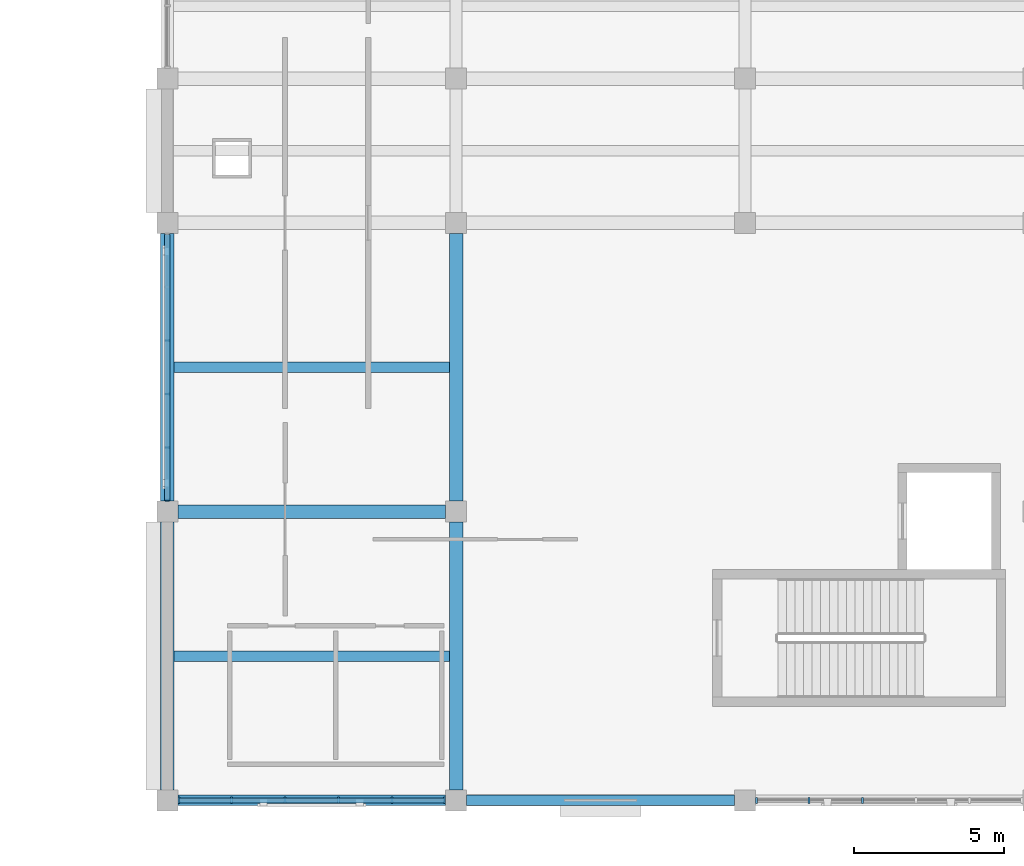
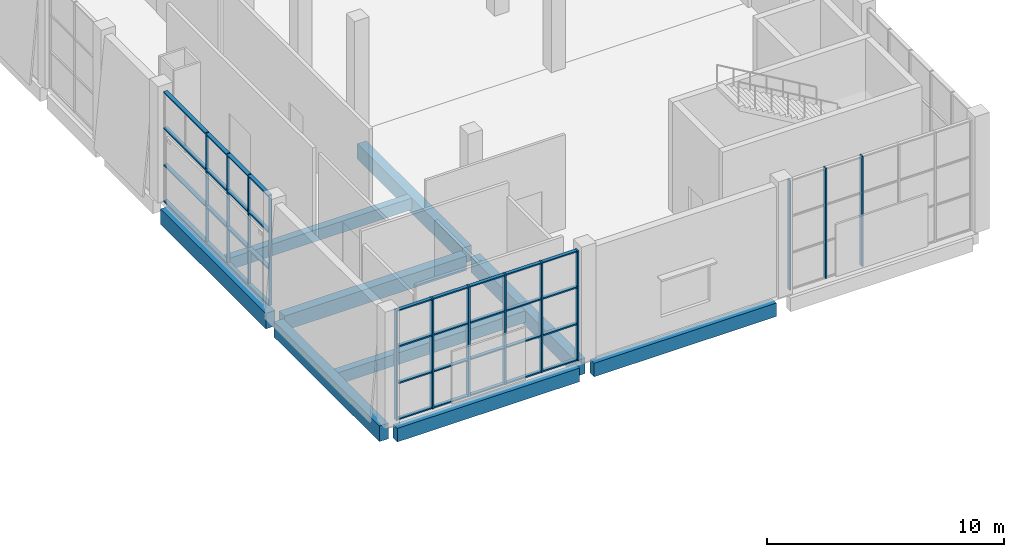
# One storey, part 11 of 84: 21 members, 9 beams, 3 elements without a shape of their own.
"""IFC4 building model written with IfcOpenShell, lengths in metres."""

from ifc_helpers import new_model, si_unit, direction, frame, origin, origin_2d, place, context, subcontext, project, spatial, rectangle, extrude, material, material_profile, profile_set, type_object, element, aggregate, save


model = new_model("IFC4")

# Units and contexts
model_context = context("Model", 3, precision=1e-05, world=origin(), true_north=direction((0.0, 1.0)))
body_context = subcontext(model_context, "Body", "Model", "MODEL_VIEW")
ifc_project = project(units=[si_unit("LENGTHUNIT", "METRE"), si_unit("AREAUNIT", "SQUARE_METRE"), si_unit("VOLUMEUNIT", "CUBIC_METRE"), si_unit("PLANEANGLEUNIT", "RADIAN"), si_unit("MASSUNIT", "GRAM", prefix="KILO")], contexts=[model_context])

# Site, building, storey
site_placement = place(None, origin())
site = spatial("IfcSite", under=ifc_project, at=site_placement, CompositionType="ELEMENT")
building_placement = place(site_placement, origin())
building = spatial("IfcBuilding", under=site, at=building_placement, Name="Shalvenor Court Art Gallery", CompositionType="ELEMENT")
storey_placement = place(building_placement, origin())
storey = spatial("IfcBuildingStorey", under=building, at=storey_placement, Name="L00", CompositionType="ELEMENT", Elevation=0.0)

# Beams
ifc_material_1 = material(Name="Concrete C40/50", Category="concrete")
ifc_material_profile_1 = material_profile(ifc_material_1, rectangle(XDim=0.449951171875, YDim=0.800048828125, at=origin_2d()), Name="RC 450x800")
ifc_profile_set_1 = profile_set([ifc_material_profile_1], Name="Concrete C40/50")
beam_type_1 = type_object("IfcBeamType", Name="B-03", PredefinedType="BEAM", material=ifc_profile_set_1)
beam_1_placement = place(storey_placement, frame((96.0, 0.35009765625, -0.739990234375), z_axis=(0.0, 1.0, 0.0), x_axis=(-1.0, 0.0, 0.0)))
element("IfcBeam", 1, at=beam_1_placement, inside=storey, type_object=beam_type_1, Name="L00 Girder BM-L00-B-03-0066", PredefinedType="BEAM", context=body_context, shape_type="SweptSolid", body=[
    extrude(rectangle(XDim=0.449951171875, YDim=0.800048828125, at=origin_2d()), origin(), (0.0, 0.0, 1.0), 8.89990234375),
])
beam_2_placement = place(storey_placement, frame((96.0, 9.949951171875, -0.739990234375), z_axis=(0.0, 1.0, 0.0), x_axis=(-1.0, 0.0, 0.0)))
element("IfcBeam", 2, at=beam_2_placement, inside=storey, type_object=beam_type_1, Name="L00 Girder BM-L00-B-03-0067", PredefinedType="BEAM", context=body_context, shape_type="SweptSolid", body=[
    extrude(rectangle(XDim=0.449951171875, YDim=0.800048828125, at=origin_2d()), origin(), (0.0, 0.0, 1.0), 8.900146484375),
])
beam_3_placement = place(storey_placement, frame((105.60009765625, 0.35009765625, -0.739990234375), z_axis=(0.0, 1.0, 0.0), x_axis=(-1.0, 0.0, 0.0)))
element("IfcBeam", 3, at=beam_3_placement, inside=storey, type_object=beam_type_1, Name="L00 Girder BM-L00-B-03-0076", PredefinedType="BEAM", context=body_context, shape_type="SweptSolid", body=[
    extrude(rectangle(XDim=0.449951171875, YDim=0.800048828125, at=origin_2d()), origin(), (0.0, 0.0, 1.0), 8.89990234375),
])
beam_4_placement = place(storey_placement, frame((105.60009765625, 9.949951171875, -0.739990234375), z_axis=(0.0, 1.0, 0.0), x_axis=(-1.0, 0.0, 0.0)))
element("IfcBeam", 4, at=beam_4_placement, inside=storey, type_object=beam_type_1, Name="L00 Girder BM-L00-B-03-0077", PredefinedType="BEAM", context=body_context, shape_type="SweptSolid", body=[
    extrude(rectangle(XDim=0.449951171875, YDim=0.800048828125, at=origin_2d()), origin(), (0.0, 0.0, 1.0), 8.900146484375),
])
ifc_material_2 = material(Name="Concrete C40/50", Category="concrete")
ifc_material_profile_2 = material_profile(ifc_material_2, rectangle(XDim=0.449951171875, YDim=0.75, at=origin_2d()), Name="RC 450x750")
ifc_profile_set_2 = profile_set([ifc_material_profile_2], Name="Concrete C40/50")
beam_type_2 = type_object("IfcBeamType", Name="B-04", PredefinedType="BEAM", material=ifc_profile_set_2)
beam_5_placement = place(storey_placement, frame((96.35009765625, 9.60009765625, -0.715087890625), z_axis=(1.0, 0.0, 0.0), x_axis=(0.0, 1.0, 0.0)))
element("IfcBeam", 5, at=beam_5_placement, inside=storey, type_object=beam_type_2, Name="L00 Girder BM-L00-B-04-0156", PredefinedType="BEAM", context=body_context, shape_type="SweptSolid", body=[
    extrude(rectangle(XDim=0.449951171875, YDim=0.75, at=origin_2d()), origin(), (0.0, 0.0, 1.0), 8.89990234375),
])

# Curtain wall, members
ifc_material_3 = material(Name="Anodised aluminium and low-iron glass curtain wall", Category="aluminium")
curtain_wall_type_1 = type_object("IfcCurtainWallType", Name="CW-5x3-89-57-212", PredefinedType="USERDEFINED", material=ifc_material_3)
curtain_wall_1_placement = place(storey_placement, origin())
curtain_wall_1 = element("IfcCurtainWall", 6, at=curtain_wall_1_placement, inside=storey, type_object=curtain_wall_type_1, Name="L00 V3 Curtain Wall CW-L00-093", ObjectType="CURTAIN WALL", PredefinedType="USERDEFINED")
ifc_material_4 = material(Name="Anodised aluminium mullion", Category="aluminium")
ifc_material_profile_3 = material_profile(ifc_material_4, rectangle(XDim=0.070068359375, YDim=0.199951171875, at=origin_2d()), Name="CWM-02")
ifc_profile_set_3 = profile_set([ifc_material_profile_3], Name="Anodised aluminium mullion")
member_type_1 = type_object("IfcMemberType", Name="CWM-02", PredefinedType="MULLION", material=ifc_profile_set_3)
member_1_placement = place(storey_placement, frame((119.110107421875, 0.0, 0.0), z_axis=(0.0, 0.0, 1.0), x_axis=(-1.0, 0.0, 0.0)))
member_1 = element("IfcMember", 7, at=member_1_placement, type_object=member_type_1, Name="CW-5x3-89-57-212 mullion 4", PredefinedType="MULLION", context=body_context, shape_type="SweptSolid", body=[
    extrude(rectangle(XDim=0.070068359375, YDim=0.199951171875, at=origin_2d()), origin(), (0.0, 0.0, 1.0), 5.679931640625),
])
member_2_placement = place(storey_placement, frame((117.330078125, 0.0, 0.0), z_axis=(0.0, 0.0, 1.0), x_axis=(-1.0, 0.0, 0.0)))
member_2 = element("IfcMember", 8, at=member_2_placement, type_object=member_type_1, Name="CW-5x3-89-57-212 mullion 5", PredefinedType="MULLION", context=body_context, shape_type="SweptSolid", body=[
    extrude(rectangle(XDim=0.070068359375, YDim=0.199951171875, at=origin_2d()), origin(), (0.0, 0.0, 1.0), 5.679931640625),
])
member_3_placement = place(storey_placement, frame((115.5849609375, 0.0, 0.0), z_axis=(0.0, 0.0, 1.0), x_axis=(-1.0, 0.0, 0.0)))
member_3 = element("IfcMember", 9, at=member_3_placement, type_object=member_type_1, Name="CW-5x3-89-57-212 mullion 6", PredefinedType="MULLION", context=body_context, shape_type="SweptSolid", body=[
    extrude(rectangle(XDim=0.070068359375, YDim=0.199951171875, at=origin_2d()), origin(), (0.0, 0.0, 1.0), 5.679931640625),
])
aggregate(curtain_wall_1, [member_1, member_2, member_3])

ifc_material_5 = material(Name="Anodised aluminium and low-iron glass curtain wall", Category="aluminium")
curtain_wall_type_2 = type_object("IfcCurtainWallType", Name="CW-5x3-89-57-422", PredefinedType="USERDEFINED", material=ifc_material_5)
curtain_wall_2_placement = place(storey_placement, origin())
curtain_wall_2 = element("IfcCurtainWall", 10, at=curtain_wall_2_placement, inside=storey, type_object=curtain_wall_type_2, Name="L00 V3 Curtain Wall CW-L00-094", ObjectType="CURTAIN WALL", PredefinedType="USERDEFINED")
ifc_material_6 = material(Name="Anodised aluminium mullion", Category="aluminium")
ifc_material_profile_4 = material_profile(ifc_material_6, rectangle(XDim=0.074951171875, YDim=0.219970703125, at=origin_2d()), Name="CWM-04")
ifc_profile_set_4 = profile_set([ifc_material_profile_4], Name="Anodised aluminium mullion")
member_type_2 = type_object("IfcMemberType", Name="CWM-04", PredefinedType="MULLION", material=ifc_profile_set_4)
member_4_placement = place(storey_placement, frame((105.21240234375, 0.0, 0.0), z_axis=(0.0, 0.0, 1.0), x_axis=(-1.0, 0.0, 0.0)))
member_4 = element("IfcMember", 11, at=member_4_placement, type_object=member_type_2, Name="CW-5x3-89-57-422 mullion 1", PredefinedType="MULLION", context=body_context, shape_type="SweptSolid", body=[
    extrude(rectangle(XDim=0.074951171875, YDim=0.219970703125, at=origin_2d()), origin(), (0.0, 0.0, 1.0), 5.679931640625),
])
member_5_placement = place(storey_placement, frame((103.469970703125, 0.0, 0.0), z_axis=(0.0, 0.0, 1.0), x_axis=(-1.0, 0.0, 0.0)))
member_5 = element("IfcMember", 12, at=member_5_placement, type_object=member_type_2, Name="CW-5x3-89-57-422 mullion 2", PredefinedType="MULLION", context=body_context, shape_type="SweptSolid", body=[
    extrude(rectangle(XDim=0.074951171875, YDim=0.219970703125, at=origin_2d()), origin(), (0.0, 0.0, 1.0), 5.679931640625),
])
member_6_placement = place(storey_placement, frame((101.68994140625, 0.0, 0.0), z_axis=(0.0, 0.0, 1.0), x_axis=(-1.0, 0.0, 0.0)))
member_6 = element("IfcMember", 13, at=member_6_placement, type_object=member_type_2, Name="CW-5x3-89-57-422 mullion 3", PredefinedType="MULLION", context=body_context, shape_type="SweptSolid", body=[
    extrude(rectangle(XDim=0.074951171875, YDim=0.219970703125, at=origin_2d()), origin(), (0.0, 0.0, 1.0), 5.679931640625),
])
member_7_placement = place(storey_placement, frame((99.909912109375, 0.0, 0.0), z_axis=(0.0, 0.0, 1.0), x_axis=(-1.0, 0.0, 0.0)))
member_7 = element("IfcMember", 14, at=member_7_placement, type_object=member_type_2, Name="CW-5x3-89-57-422 mullion 4", PredefinedType="MULLION", context=body_context, shape_type="SweptSolid", body=[
    extrude(rectangle(XDim=0.074951171875, YDim=0.219970703125, at=origin_2d()), origin(), (0.0, 0.0, 1.0), 5.679931640625),
])
member_8_placement = place(storey_placement, frame((98.1298828125, 0.0, 0.0), z_axis=(0.0, 0.0, 1.0), x_axis=(-1.0, 0.0, 0.0)))
member_8 = element("IfcMember", 15, at=member_8_placement, type_object=member_type_2, Name="CW-5x3-89-57-422 mullion 5", PredefinedType="MULLION", context=body_context, shape_type="SweptSolid", body=[
    extrude(rectangle(XDim=0.074951171875, YDim=0.219970703125, at=origin_2d()), origin(), (0.0, 0.0, 1.0), 5.679931640625),
])
member_9_placement = place(storey_placement, frame((96.387451171875, 0.0, 0.0), z_axis=(0.0, 0.0, 1.0), x_axis=(-1.0, 0.0, 0.0)))
member_9 = element("IfcMember", 16, at=member_9_placement, type_object=member_type_2, Name="CW-5x3-89-57-422 mullion 6", PredefinedType="MULLION", context=body_context, shape_type="SweptSolid", body=[
    extrude(rectangle(XDim=0.074951171875, YDim=0.219970703125, at=origin_2d()), origin(), (0.0, 0.0, 1.0), 5.679931640625),
])

ifc_material_7 = material(Name="Anodised aluminium and low-iron glass curtain wall", Category="aluminium")
curtain_wall_type_3 = type_object("IfcCurtainWallType", Name="CW-5x3-89-57-642", PredefinedType="USERDEFINED", material=ifc_material_7)
curtain_wall_3_placement = place(storey_placement, origin())
curtain_wall_3 = element("IfcCurtainWall", 17, at=curtain_wall_3_placement, inside=storey, type_object=curtain_wall_type_3, Name="L00 V3 Curtain Wall CW-L00-095", ObjectType="CURTAIN WALL", PredefinedType="USERDEFINED")
ifc_material_8 = material(Name="Anodised aluminium mullion", Category="aluminium")
ifc_material_profile_5 = material_profile(ifc_material_8, rectangle(XDim=0.054931640625, YDim=0.139892578125, at=origin_2d()), Name="CWM-06")
ifc_profile_set_5 = profile_set([ifc_material_profile_5], Name="Anodised aluminium mullion")
member_type_3 = type_object("IfcMemberType", Name="CWM-06", PredefinedType="MULLION", material=ifc_profile_set_5)
member_10_placement = place(storey_placement, frame((96.0, 9.9775390625, 0.0), z_axis=(0.0, 0.0, 1.0), x_axis=(0.0, 1.0, 0.0)))
member_10 = element("IfcMember", 18, at=member_10_placement, type_object=member_type_3, Name="CW-5x3-89-57-642 mullion 1", PredefinedType="MULLION", context=body_context, shape_type="SweptSolid", body=[
    extrude(rectangle(XDim=0.054931640625, YDim=0.139892578125, at=origin_2d()), origin(), (0.0, 0.0, 1.0), 5.679931640625),
])
member_11_placement = place(storey_placement, frame((96.0, 11.72998046875, 0.0), z_axis=(0.0, 0.0, 1.0), x_axis=(0.0, 1.0, 0.0)))
member_11 = element("IfcMember", 19, at=member_11_placement, type_object=member_type_3, Name="CW-5x3-89-57-642 mullion 2", PredefinedType="MULLION", context=body_context, shape_type="SweptSolid", body=[
    extrude(rectangle(XDim=0.054931640625, YDim=0.139892578125, at=origin_2d()), origin(), (0.0, 0.0, 1.0), 5.679931640625),
])
member_12_placement = place(storey_placement, frame((96.0, 13.510009765625, 0.0), z_axis=(0.0, 0.0, 1.0), x_axis=(0.0, 1.0, 0.0)))
member_12 = element("IfcMember", 20, at=member_12_placement, type_object=member_type_3, Name="CW-5x3-89-57-642 mullion 3", PredefinedType="MULLION", context=body_context, shape_type="SweptSolid", body=[
    extrude(rectangle(XDim=0.054931640625, YDim=0.139892578125, at=origin_2d()), origin(), (0.0, 0.0, 1.0), 5.679931640625),
])
member_13_placement = place(storey_placement, frame((96.0, 15.2900390625, 0.0), z_axis=(0.0, 0.0, 1.0), x_axis=(0.0, 1.0, 0.0)))
member_13 = element("IfcMember", 21, at=member_13_placement, type_object=member_type_3, Name="CW-5x3-89-57-642 mullion 4", PredefinedType="MULLION", context=body_context, shape_type="SweptSolid", body=[
    extrude(rectangle(XDim=0.054931640625, YDim=0.139892578125, at=origin_2d()), origin(), (0.0, 0.0, 1.0), 5.679931640625),
])

# Member
ifc_material_9 = material(Name="Anodised aluminium transom", Category="aluminium")
ifc_material_profile_6 = material_profile(ifc_material_9, rectangle(XDim=0.169921875, YDim=0.06494140625, at=origin_2d()), Name="CWT-02")
ifc_profile_set_6 = profile_set([ifc_material_profile_6], Name="Anodised aluminium transom")
member_type_4 = type_object("IfcMemberType", Name="CWT-02", PredefinedType="USERDEFINED", material=ifc_profile_set_6)
member_14_placement = place(storey_placement, frame((105.21240234375, 0.0, 0.032470703125), z_axis=(-1.0, 0.0, 0.0), x_axis=(0.0, -1.0, 0.0)))
member_14 = element("IfcMember", 22, at=member_14_placement, type_object=member_type_4, Name="CW-5x3-89-57-422 transom 1", ObjectType="TRANSOM", PredefinedType="USERDEFINED", context=body_context, shape_type="SweptSolid", body=[
    extrude(rectangle(XDim=0.169921875, YDim=0.06494140625, at=origin_2d()), origin(), (0.0, 0.0, 1.0), 8.824951171875),
])

member_15_placement = place(storey_placement, frame((105.21240234375, 0.0, 1.893310546875), z_axis=(-1.0, 0.0, 0.0), x_axis=(0.0, -1.0, 0.0)))
member_15 = element("IfcMember", 23, at=member_15_placement, type_object=member_type_4, Name="CW-5x3-89-57-422 transom 2", ObjectType="TRANSOM", PredefinedType="USERDEFINED", context=body_context, shape_type="SweptSolid", body=[
    extrude(rectangle(XDim=0.169921875, YDim=0.06494140625, at=origin_2d()), origin(), (0.0, 0.0, 1.0), 8.824951171875),
])

member_16_placement = place(storey_placement, frame((105.21240234375, 0.0, 3.78662109375), z_axis=(-1.0, 0.0, 0.0), x_axis=(0.0, -1.0, 0.0)))
member_16 = element("IfcMember", 24, at=member_16_placement, type_object=member_type_4, Name="CW-5x3-89-57-422 transom 3", ObjectType="TRANSOM", PredefinedType="USERDEFINED", context=body_context, shape_type="SweptSolid", body=[
    extrude(rectangle(XDim=0.169921875, YDim=0.06494140625, at=origin_2d()), origin(), (0.0, 0.0, 1.0), 8.824951171875),
])

member_17_placement = place(storey_placement, frame((105.21240234375, 0.0, 5.6474609375), z_axis=(-1.0, 0.0, 0.0), x_axis=(0.0, -1.0, 0.0)))
member_17 = element("IfcMember", 25, at=member_17_placement, type_object=member_type_4, Name="CW-5x3-89-57-422 transom 4", ObjectType="TRANSOM", PredefinedType="USERDEFINED", context=body_context, shape_type="SweptSolid", body=[
    extrude(rectangle(XDim=0.169921875, YDim=0.06494140625, at=origin_2d()), origin(), (0.0, 0.0, 1.0), 8.824951171875),
])

aggregate(curtain_wall_2, [member_4, member_5, member_6, member_7, member_8, member_9, member_14, member_15, member_16, member_17])

ifc_material_10 = material(Name="Anodised aluminium transom", Category="aluminium")
ifc_material_profile_7 = material_profile(ifc_material_10, rectangle(XDim=0.18994140625, YDim=0.070068359375, at=origin_2d()), Name="CWT-04")
ifc_profile_set_7 = profile_set([ifc_material_profile_7], Name="Anodised aluminium transom")
member_type_5 = type_object("IfcMemberType", Name="CWT-04", PredefinedType="USERDEFINED", material=ifc_profile_set_7)
member_18_placement = place(storey_placement, frame((96.0, 9.9775390625, 0.034912109375), z_axis=(0.0, 1.0, 0.0), x_axis=(-1.0, 0.0, 0.0)))
member_18 = element("IfcMember", 26, at=member_18_placement, type_object=member_type_5, Name="CW-5x3-89-57-642 transom 1", ObjectType="TRANSOM", PredefinedType="USERDEFINED", context=body_context, shape_type="SweptSolid", body=[
    extrude(rectangle(XDim=0.18994140625, YDim=0.070068359375, at=origin_2d()), origin(), (0.0, 0.0, 1.0), 8.844970703125),
])

member_19_placement = place(storey_placement, frame((96.0, 9.9775390625, 1.893310546875), z_axis=(0.0, 1.0, 0.0), x_axis=(-1.0, 0.0, 0.0)))
member_19 = element("IfcMember", 27, at=member_19_placement, type_object=member_type_5, Name="CW-5x3-89-57-642 transom 2", ObjectType="TRANSOM", PredefinedType="USERDEFINED", context=body_context, shape_type="SweptSolid", body=[
    extrude(rectangle(XDim=0.18994140625, YDim=0.070068359375, at=origin_2d()), origin(), (0.0, 0.0, 1.0), 8.844970703125),
])

member_20_placement = place(storey_placement, frame((96.0, 9.9775390625, 3.78662109375), z_axis=(0.0, 1.0, 0.0), x_axis=(-1.0, 0.0, 0.0)))
member_20 = element("IfcMember", 28, at=member_20_placement, type_object=member_type_5, Name="CW-5x3-89-57-642 transom 3", ObjectType="TRANSOM", PredefinedType="USERDEFINED", context=body_context, shape_type="SweptSolid", body=[
    extrude(rectangle(XDim=0.18994140625, YDim=0.070068359375, at=origin_2d()), origin(), (0.0, 0.0, 1.0), 8.844970703125),
])

member_21_placement = place(storey_placement, frame((96.0, 9.9775390625, 5.64501953125), z_axis=(0.0, 1.0, 0.0), x_axis=(-1.0, 0.0, 0.0)))
member_21 = element("IfcMember", 29, at=member_21_placement, type_object=member_type_5, Name="CW-5x3-89-57-642 transom 4", ObjectType="TRANSOM", PredefinedType="USERDEFINED", context=body_context, shape_type="SweptSolid", body=[
    extrude(rectangle(XDim=0.18994140625, YDim=0.070068359375, at=origin_2d()), origin(), (0.0, 0.0, 1.0), 8.844970703125),
])

aggregate(curtain_wall_3, [member_10, member_11, member_12, member_13, member_18, member_19, member_20, member_21])

# Beams
ifc_material_11 = material(Name="Concrete C40/50", Category="concrete")
ifc_material_profile_8 = material_profile(ifc_material_11, rectangle(XDim=0.35009765625, YDim=0.60009765625, at=origin_2d()), Name="RC 350x600")
ifc_profile_set_8 = profile_set([ifc_material_profile_8], Name="Concrete C40/50")
beam_type_3 = type_object("IfcBeamType", Name="J-01", PredefinedType="JOIST", material=ifc_profile_set_8)
for number, where, z_axis, x_axis, name in (
    (30, (96.22509765625, 4.800048828125, -0.639892578125), (1.0, 0.0, 0.0), (0.0, 1.0, 0.0), "L00 Secondary Beam JST-L00-J-01-0318"),
    (31, (96.22509765625, 14.39990234375, -0.639892578125), (1.0, 0.0, 0.0), (0.0, 1.0, 0.0), "L00 Secondary Beam JST-L00-J-01-0319"),
):
    element("IfcBeam", number, at=place(storey_placement, frame(where, z_axis=z_axis, x_axis=x_axis)), inside=storey, type_object=beam_type_3, Name=name, PredefinedType="JOIST", context=body_context, shape_type="SweptSolid", body=[
        extrude(rectangle(XDim=0.35009765625, YDim=0.60009765625, at=origin_2d()), origin(), (0.0, 0.0, 1.0), 9.14990234375),
    ])
ifc_material_12 = material(Name="Concrete C40/50", Category="concrete")
ifc_material_profile_9 = material_profile(ifc_material_12, rectangle(XDim=0.35009765625, YDim=0.699951171875, at=origin_2d()), Name="RC 350x700")
ifc_profile_set_9 = profile_set([ifc_material_profile_9], Name="Concrete C40/50")
beam_type_4 = type_object("IfcBeamType", Name="SP-01", PredefinedType="SPANDREL", material=ifc_profile_set_9)
beam_6_placement = place(storey_placement, frame((96.35009765625, 0.0, -0.68994140625), z_axis=(1.0, 0.0, 0.0), x_axis=(0.0, 1.0, 0.0)))
element("IfcBeam", 32, at=beam_6_placement, inside=storey, type_object=beam_type_4, Name="L00 Spandrel Girder BM-L00-SP-01-0146", PredefinedType="SPANDREL", context=body_context, shape_type="SweptSolid", body=[
    extrude(rectangle(XDim=0.35009765625, YDim=0.699951171875, at=origin_2d()), origin(), (0.0, 0.0, 1.0), 8.89990234375),
])
beam_7_placement = place(storey_placement, frame((105.949951171875, 0.0, -0.68994140625), z_axis=(1.0, 0.0, 0.0), x_axis=(0.0, 1.0, 0.0)))
element("IfcBeam", 33, at=beam_7_placement, inside=storey, type_object=beam_type_4, Name="L00 Spandrel Girder BM-L00-SP-01-0147", PredefinedType="SPANDREL", context=body_context, shape_type="SweptSolid", body=[
    extrude(rectangle(XDim=0.35009765625, YDim=0.699951171875, at=origin_2d()), origin(), (0.0, 0.0, 1.0), 8.900146484375),
])

save(model, "model.ifc")
